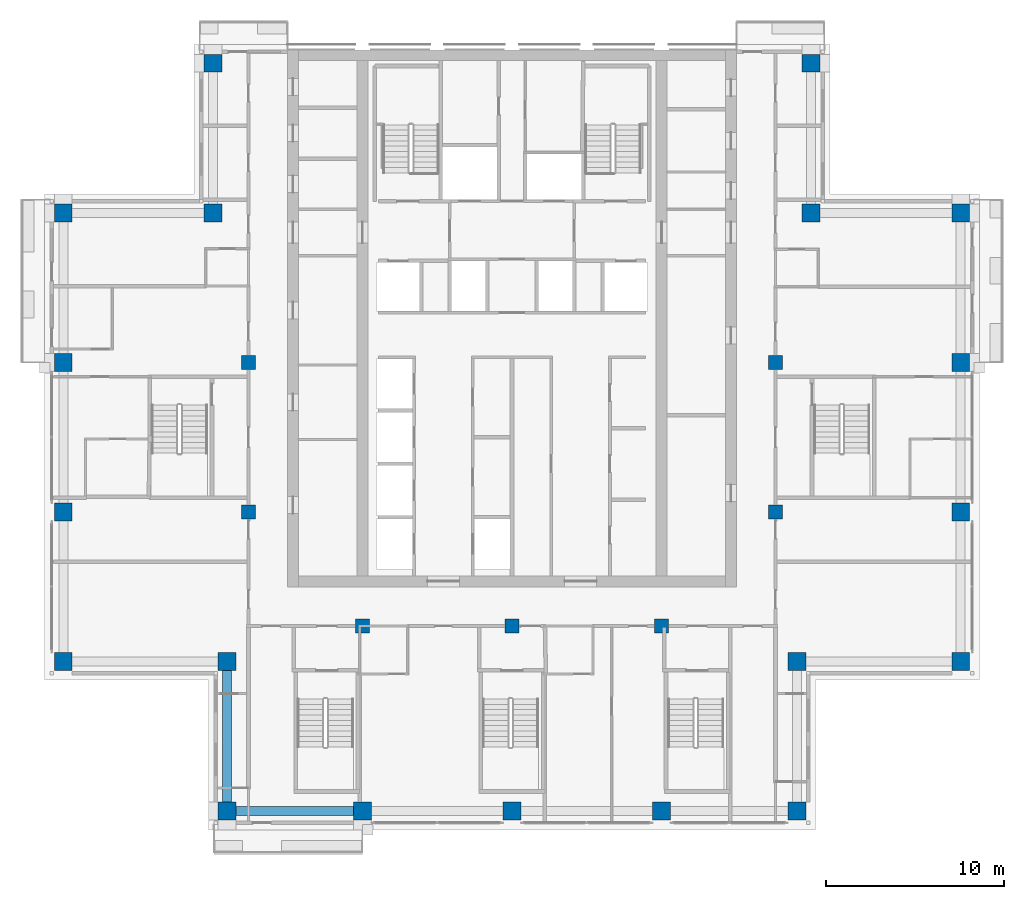
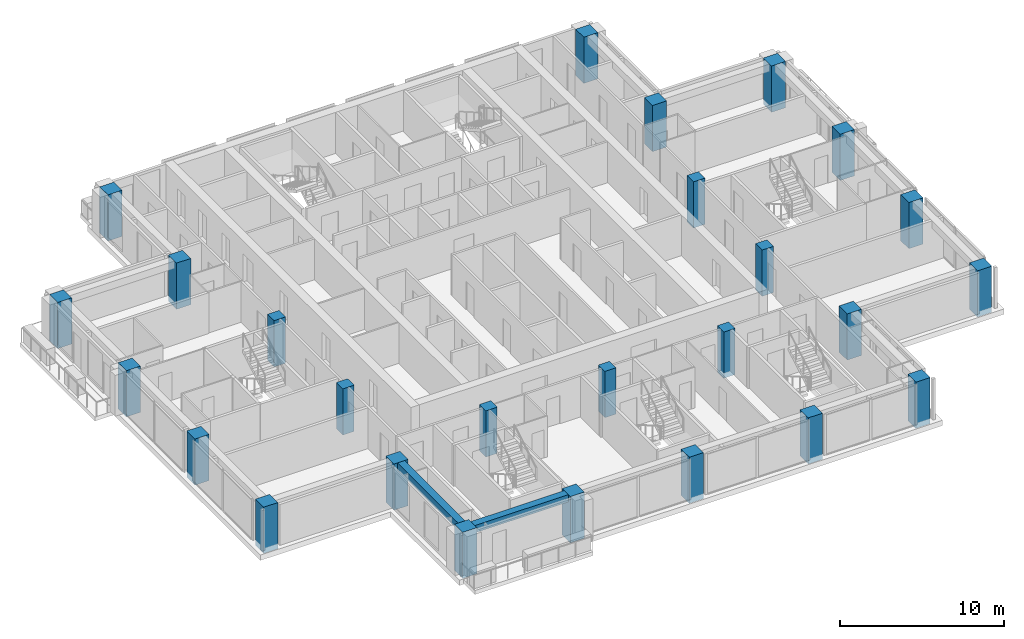
# One storey, part 1 of 16: 26 columns, 2 beams.
"""IFC4 building model written with IfcOpenShell, lengths in metres."""

from ifc_helpers import new_model, si_unit, direction, frame, origin, origin_2d, place, context, subcontext, project, spatial, rectangle, extrude, material, material_profile, profile_set, type_object, element, save


model = new_model("IFC4")

# Units and contexts
model_context = context("Model", 3, precision=1e-05, world=origin(), true_north=direction((0.0, 1.0)))
body_context = subcontext(model_context, "Body", "Model", "MODEL_VIEW")
ifc_project = project(units=[si_unit("LENGTHUNIT", "METRE"), si_unit("AREAUNIT", "SQUARE_METRE"), si_unit("VOLUMEUNIT", "CUBIC_METRE"), si_unit("PLANEANGLEUNIT", "RADIAN"), si_unit("MASSUNIT", "GRAM", prefix="KILO")], contexts=[model_context])

# Site, building, storey
site_placement = place(None, origin())
site = spatial("IfcSite", under=ifc_project, at=site_placement, CompositionType="ELEMENT")
building_placement = place(site_placement, origin())
building = spatial("IfcBuilding", under=site, at=building_placement, Name="Vermilion Ogive Tower", CompositionType="ELEMENT")
storey_placement = place(building_placement, frame((0.0, 0.0, 182.449951171875)))
storey = spatial("IfcBuildingStorey", under=building, at=storey_placement, Name="L47", CompositionType="ELEMENT", Elevation=182.449951171875)

# Columns
ifc_material_1 = material(Name="Concrete B60", Category="concrete")
ifc_material_profile_1 = material_profile(ifc_material_1, rectangle(XDim=1.0, YDim=1.0, at=origin_2d()), Name="1000 x 1000")
ifc_profile_set_1 = profile_set([ifc_material_profile_1], Name="Concrete B60")
column_type_1 = type_object("IfcColumnType", Name="Perimeter column 1000 x 1000 B60", PredefinedType="COLUMN", material=ifc_profile_set_1)
for number, where, z_axis, x_axis, name in (
    (1, (-16.0, -21.0, -0.39990234375), (0.0, 0.0, 1.0), (1.0, 0.0, 0.0), "COL-L47-P-0160-210"),
    (2, (-8.39990234375, -21.0, -0.39990234375), (0.0, 0.0, 1.0), (1.0, 0.0, 0.0), "COL-L47-P-0084-210"),
    (3, (0.0, -21.0, -0.39990234375), (0.0, 0.0, 1.0), (1.0, 0.0, 0.0), "COL-L47-P+0000-210"),
    (4, (8.39990234375, -21.0, -0.39990234375), (0.0, 0.0, 1.0), (1.0, 0.0, 0.0), "COL-L47-P+0084-210"),
    (5, (16.0, -21.0, -0.39990234375), (0.0, 0.0, 1.0), (1.0, 0.0, 0.0), "COL-L47-P+0160-210"),
    (6, (-25.199951171875, -12.60009765625, -0.39990234375), (0.0, 0.0, 1.0), (1.0, 0.0, 0.0), "COL-L47-P-0252-126"),
    (7, (-16.0, -12.60009765625, -0.39990234375), (0.0, 0.0, 1.0), (1.0, 0.0, 0.0), "COL-L47-P-0160-126"),
    (8, (16.0, -12.60009765625, -0.39990234375), (0.0, 0.0, 1.0), (1.0, 0.0, 0.0), "COL-L47-P+0160-126"),
    (9, (25.199951171875, -12.60009765625, -0.39990234375), (0.0, 0.0, 1.0), (1.0, 0.0, 0.0), "COL-L47-P+0252-126"),
    (10, (-25.199951171875, -4.199951171875, -0.39990234375), (0.0, 0.0, 1.0), (1.0, 0.0, 0.0), "COL-L47-P-0252-042"),
    (11, (25.199951171875, -4.199951171875, -0.39990234375), (0.0, 0.0, 1.0), (1.0, 0.0, 0.0), "COL-L47-P+0252-042"),
    (12, (-25.199951171875, 4.199951171875, -0.39990234375), (0.0, 0.0, 1.0), (1.0, 0.0, 0.0), "COL-L47-P-0252+042"),
    (13, (25.199951171875, 4.199951171875, -0.39990234375), (0.0, 0.0, 1.0), (1.0, 0.0, 0.0), "COL-L47-P+0252+042"),
    (14, (-25.199951171875, 12.60009765625, -0.39990234375), (0.0, 0.0, 1.0), (1.0, 0.0, 0.0), "COL-L47-P-0252+126"),
    (15, (-16.800048828125, 12.60009765625, -0.39990234375), (0.0, 0.0, 1.0), (1.0, 0.0, 0.0), "COL-L47-P-0168+126"),
    (16, (16.800048828125, 12.60009765625, -0.39990234375), (0.0, 0.0, 1.0), (1.0, 0.0, 0.0), "COL-L47-P+0168+126"),
    (17, (25.199951171875, 12.60009765625, -0.39990234375), (0.0, 0.0, 1.0), (1.0, 0.0, 0.0), "COL-L47-P+0252+126"),
    (18, (-16.800048828125, 21.0, -0.39990234375), (0.0, 0.0, 1.0), (1.0, 0.0, 0.0), "COL-L47-P-0168+210"),
    (19, (16.800048828125, 21.0, -0.39990234375), (0.0, 0.0, 1.0), (1.0, 0.0, 0.0), "COL-L47-P+0168+210"),
):
    element("IfcColumn", number, at=place(storey_placement, frame(where, z_axis=z_axis, x_axis=x_axis)), inside=storey, type_object=column_type_1, Name=name, PredefinedType="COLUMN", context=body_context, shape_type="SweptSolid", body=[
        extrude(rectangle(XDim=1.0, YDim=1.0, at=origin_2d()), origin(), (0.0, 0.0, 1.0), 3.449951171875),
    ])
ifc_material_2 = material(Name="Concrete B60", Category="concrete")
ifc_material_profile_2 = material_profile(ifc_material_2, rectangle(XDim=0.800048828125, YDim=0.800048828125, at=origin_2d()), Name="800 x 800")
ifc_profile_set_2 = profile_set([ifc_material_profile_2], Name="Concrete B60")
column_type_2 = type_object("IfcColumnType", Name="Ring column 800 x 800 B60", PredefinedType="COLUMN", material=ifc_profile_set_2)
for number, where, z_axis, x_axis, name in (
    (20, (-8.39990234375, -10.60009765625, -0.39990234375), (0.0, 0.0, 1.0), (1.0, 0.0, 0.0), "COL-L47-R-0084-106"),
    (21, (0.0, -10.60009765625, -0.39990234375), (0.0, 0.0, 1.0), (1.0, 0.0, 0.0), "COL-L47-R+0000-106"),
    (22, (8.39990234375, -10.60009765625, -0.39990234375), (0.0, 0.0, 1.0), (1.0, 0.0, 0.0), "COL-L47-R+0084-106"),
    (23, (-14.800048828125, -4.199951171875, -0.39990234375), (0.0, 0.0, 1.0), (1.0, 0.0, 0.0), "COL-L47-R-0148-042"),
    (24, (14.800048828125, -4.199951171875, -0.39990234375), (0.0, 0.0, 1.0), (1.0, 0.0, 0.0), "COL-L47-R+0148-042"),
    (25, (-14.800048828125, 4.199951171875, -0.39990234375), (0.0, 0.0, 1.0), (1.0, 0.0, 0.0), "COL-L47-R-0148+042"),
    (26, (14.800048828125, 4.199951171875, -0.39990234375), (0.0, 0.0, 1.0), (1.0, 0.0, 0.0), "COL-L47-R+0148+042"),
):
    element("IfcColumn", number, at=place(storey_placement, frame(where, z_axis=z_axis, x_axis=x_axis)), inside=storey, type_object=column_type_2, Name=name, PredefinedType="COLUMN", context=body_context, shape_type="SweptSolid", body=[
        extrude(rectangle(XDim=0.800048828125, YDim=0.800048828125, at=origin_2d()), origin(), (0.0, 0.0, 1.0), 3.449951171875),
    ])

# Beams
ifc_material_3 = material(Name="Concrete B45", Category="concrete")
ifc_material_profile_3 = material_profile(ifc_material_3, rectangle(XDim=0.5, YDim=0.550048828125, at=origin_2d()), Name="500 x 550")
ifc_profile_set_3 = profile_set([ifc_material_profile_3], Name="Concrete B45")
beam_type = type_object("IfcBeamType", Name="Edge beam 500 x 550 B45", PredefinedType="BEAM", material=ifc_profile_set_3)
beam_1_placement = place(storey_placement, frame((-15.5, -21.0, 2.775146484375), z_axis=(1.0, 0.0, 0.0), x_axis=(0.0, 1.0, 0.0)))
element("IfcBeam", 27, at=beam_1_placement, inside=storey, type_object=beam_type, Name="L47-EB-1", PredefinedType="BEAM", context=body_context, shape_type="SweptSolid", body=[
    extrude(rectangle(XDim=0.5, YDim=0.550048828125, at=origin_2d()), origin(), (0.0, 0.0, 1.0), 6.60009765625),
])
beam_2_placement = place(storey_placement, frame((-16.0, -13.10009765625, 2.775146484375), z_axis=(0.0, -1.0, 0.0), x_axis=(1.0, 0.0, 0.0)))
element("IfcBeam", 28, at=beam_2_placement, inside=storey, type_object=beam_type, Name="L47-EB-18", PredefinedType="BEAM", context=body_context, shape_type="SweptSolid", body=[
    extrude(rectangle(XDim=0.5, YDim=0.550048828125, at=origin_2d()), origin(), (0.0, 0.0, 1.0), 7.39990234375),
])

save(model, "model.ifc")
